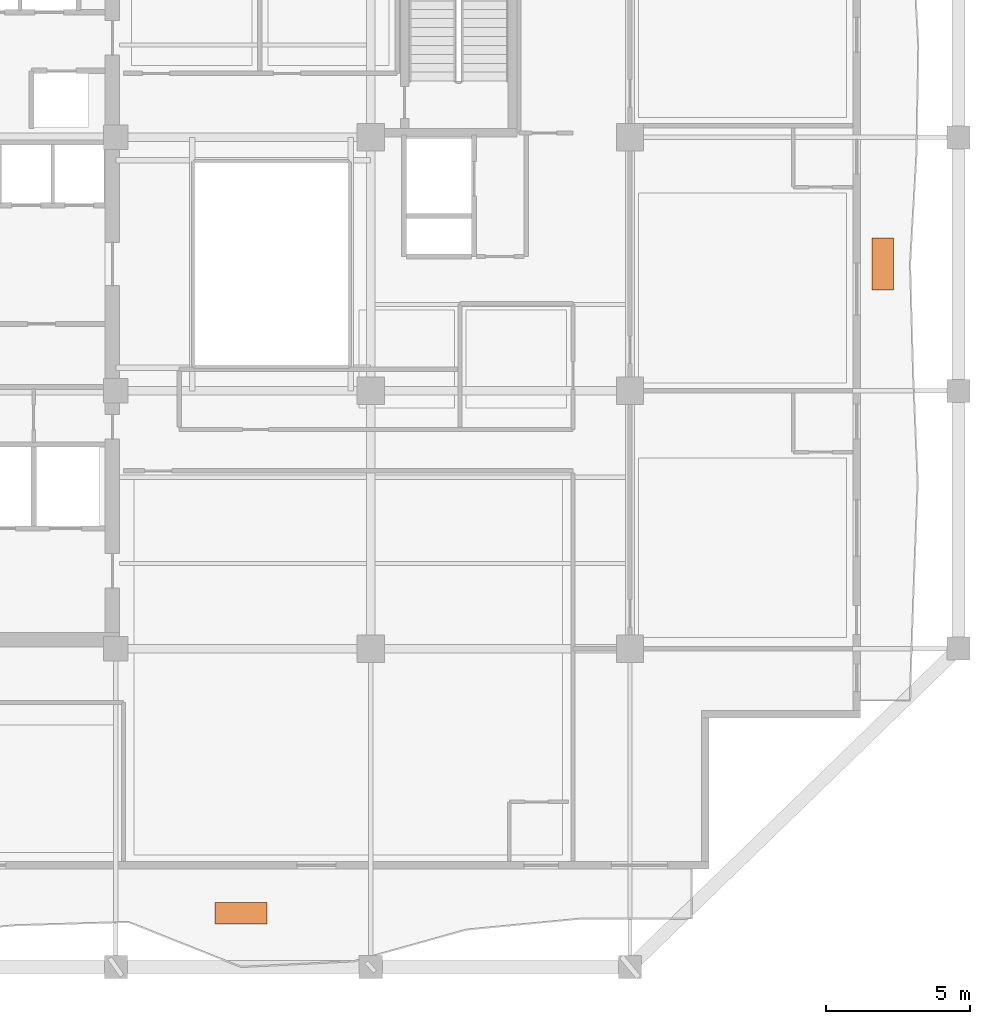
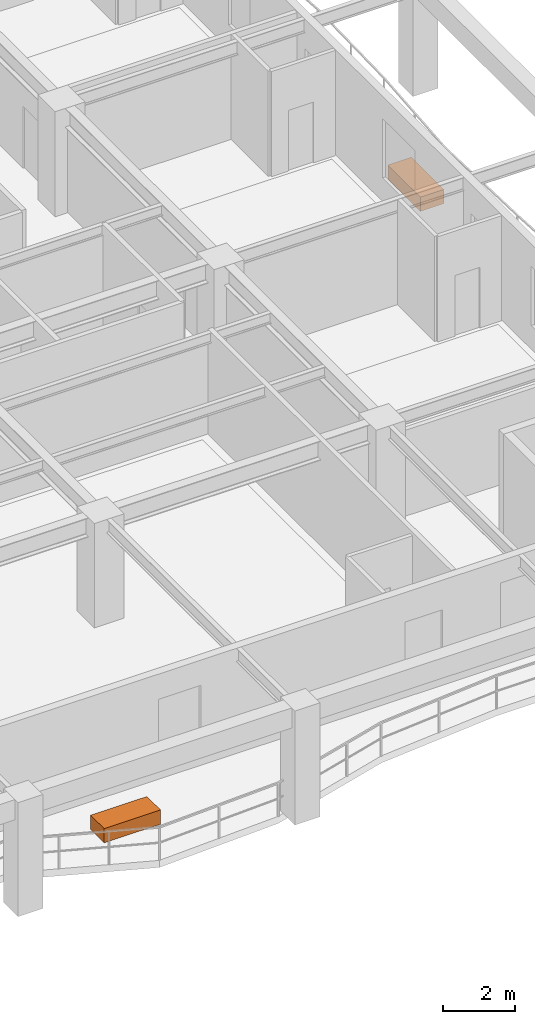
# One storey, part 12 of 12: 2 proxies.
"""IFC4 building model written with IfcOpenShell, lengths in metres."""

from ifc_helpers import new_model, si_unit, direction, frame, origin, origin_2d, place, context, subcontext, project, spatial, rectangle, extrude, material, type_object, element, save


model = new_model("IFC4")

# Units and contexts
model_context = context("Model", 3, precision=1e-05, world=origin(), true_north=direction((0.0, 1.0)))
body_context = subcontext(model_context, "Body", "Model", "MODEL_VIEW")
ifc_project = project(units=[si_unit("LENGTHUNIT", "METRE"), si_unit("AREAUNIT", "SQUARE_METRE"), si_unit("VOLUMEUNIT", "CUBIC_METRE"), si_unit("PLANEANGLEUNIT", "RADIAN"), si_unit("MASSUNIT", "GRAM", prefix="KILO")], contexts=[model_context])

# Site, building, storey
site_placement = place(None, origin())
site = spatial("IfcSite", under=ifc_project, at=site_placement, CompositionType="ELEMENT")
building_placement = place(site_placement, origin())
building = spatial("IfcBuilding", under=site, at=building_placement, Name="Kundavana Baori Tower", CompositionType="ELEMENT")
storey_placement = place(building_placement, frame((0.0, 0.0, 200.25)))
storey = spatial("IfcBuildingStorey", under=building, at=storey_placement, Name="L49", CompositionType="ELEMENT", Elevation=200.25)

# Proxies
ifc_material = material(Name="Red-Buff Dholpur Sandstone Cladding on Concrete C40/50", Category="masonry")
building_element_proxy_type = type_object("IfcBuildingElementProxyType", Name="PRX-PLANTER-1800", PredefinedType="USERDEFINED", material=ifc_material)
for number, where, z_axis, x_axis, name in (
    (1, (29.300048828125, 6.070068359375, 0.0), (0.0, 0.0, 1.0), (1.0, 0.0, 0.0), "L49 Dholpur Stone Structural Tree Planter S"),
    (2, (51.5791015625, 28.60009765625, 0.0), (0.0, 0.0, 1.0), (0.0, 1.0, 0.0), "L49 Dholpur Stone Structural Tree Planter E"),
):
    element("IfcBuildingElementProxy", number, at=place(storey_placement, frame(where, z_axis=z_axis, x_axis=x_axis)), inside=storey, type_object=building_element_proxy_type, Name=name, ObjectType="PLANTER", PredefinedType="USERDEFINED", context=body_context, shape_type="SweptSolid", body=[
        extrude(rectangle(XDim=1.800048828125, YDim=0.75, at=origin_2d()), origin(), (0.0, 0.0, 1.0), 0.47998046875),
    ])

save(model, "model.ifc")
